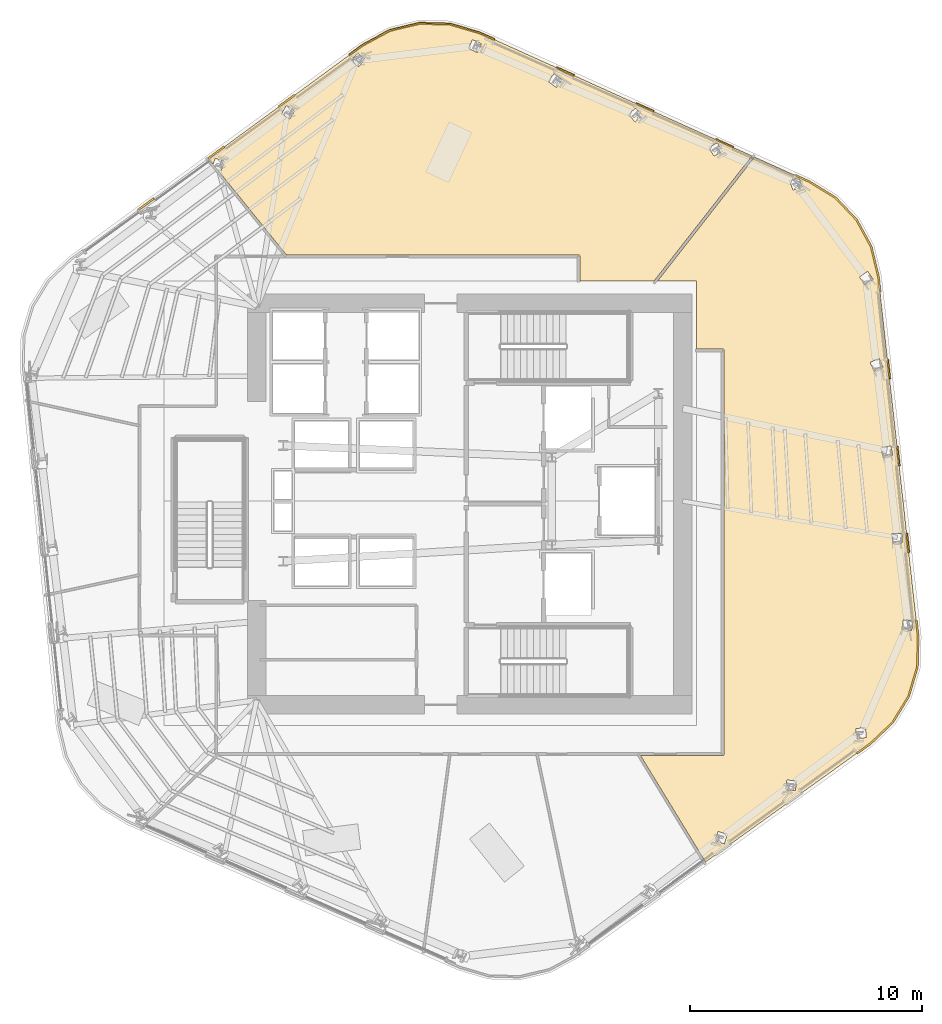
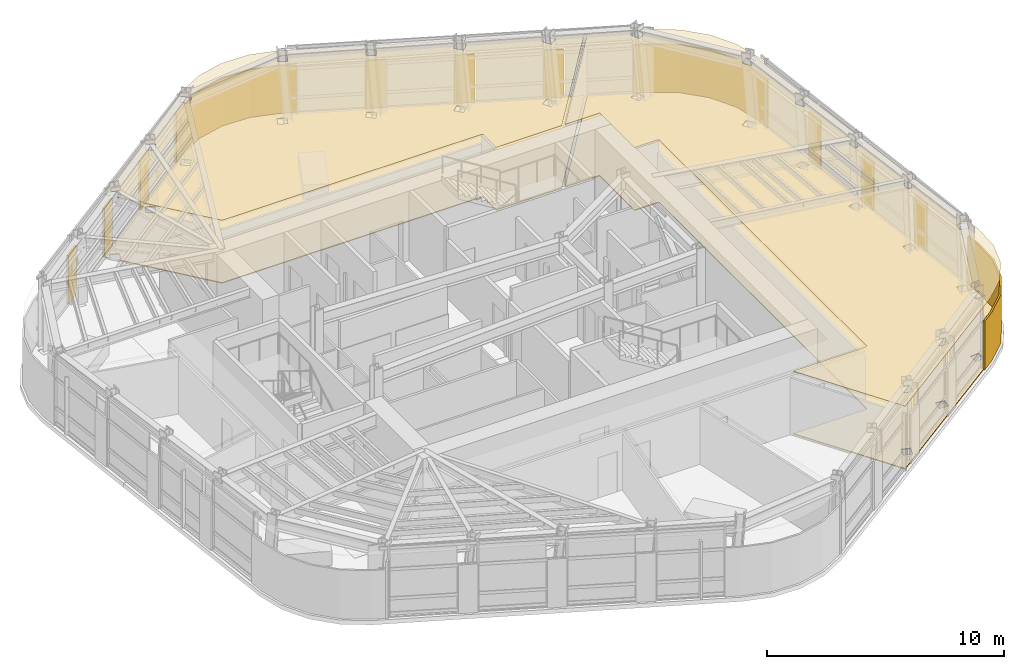
# One storey, part 13 of 14: 16 coverings.
"""IFC4 building model written with IfcOpenShell, lengths in metres."""

from ifc_helpers import new_model, si_unit, direction, frame, origin, place, context, subcontext, project, spatial, polyline, outline, extrude, material, layer, layer_set, type_object, element, save


model = new_model("IFC4")

# Units and contexts
model_context = context("Model", 3, precision=1e-05, world=origin(), true_north=direction((0.0, 1.0)))
body_context = subcontext(model_context, "Body", "Model", "MODEL_VIEW")
ifc_project = project(units=[si_unit("LENGTHUNIT", "METRE"), si_unit("AREAUNIT", "SQUARE_METRE"), si_unit("VOLUMEUNIT", "CUBIC_METRE"), si_unit("PLANEANGLEUNIT", "RADIAN"), si_unit("MASSUNIT", "GRAM", prefix="KILO")], contexts=[model_context])

# Site, building, storey
site_placement = place(None, origin())
site = spatial("IfcSite", under=ifc_project, at=site_placement, CompositionType="ELEMENT")
building_placement = place(site_placement, origin())
building = spatial("IfcBuilding", under=site, at=building_placement, Name="Valkerne Bourse Tower", CompositionType="ELEMENT")
storey_placement = place(building_placement, frame((0.0, 0.0, 178.0)))
storey = spatial("IfcBuildingStorey", under=building, at=storey_placement, Name="L45", CompositionType="ELEMENT", Elevation=178.0)

# Coverings
ifc_material_1 = material(Name="Mineral Fiber Acoustic Ceiling Tile", Category="acoustic")
ifc_layer_1 = layer(ifc_material_1, 0.02490234375)
ifc_layer_set_1 = layer_set([ifc_layer_1], Name="Mineral Fiber Acoustic Ceiling Tile")
covering_type_1 = type_object("IfcCoveringType", Name="COV-CEIL-ACT", PredefinedType="CEILING", material=ifc_layer_set_1)
covering_1_placement = place(storey_placement, frame((0.0, 0.0, 3.22998046875)))
element("IfcCovering", 1, at=covering_1_placement, inside=storey, type_object=covering_type_1, Name="L45 Suspended Ceiling 10", PredefinedType="CEILING", context=body_context, shape_type="SweptSolid", body=[
    extrude(outline(polyline([(44.631591796875, 47.6298828125), (45.95068359375, 47.595458984375), (47.224853515625, 47.218017578125), (58.99072265625, 41.906494140625), (54.759765625, 36.5), (51.569091796875, 36.5), (51.56884765625, 37.564697265625), (51.547119140625, 37.61083984375), (51.50439453125, 37.62890625), (38.88525390625, 37.62890625), (35.89990234375, 41.322509765625), (36.072265625, 41.267822265625), (36.07421875, 41.269287109375), (36.20166015625, 41.673583984375), (35.80712890625, 41.799072265625), (35.804931640625, 41.797607421875), (35.72412109375, 41.540283203125), (35.5185546875, 41.794677734375), (42.180908203125, 46.68798828125), (43.3486328125, 47.322021484375), (44.631591796875, 47.6298828125)]), holes=[polyline([(54.2529296875, 43.655029296875), (53.96728515625, 43.9677734375), (53.96484375, 43.968994140625), (53.659423828125, 43.68896484375), (53.945068359375, 43.376220703125), (53.947509765625, 43.375), (54.2529296875, 43.655029296875)]), polyline([(39.03857421875, 43.504638671875), (39.245361328125, 43.87451171875), (38.884521484375, 44.07763671875), (38.882080078125, 44.07666015625), (38.67529296875, 43.706787109375), (39.0361328125, 43.503662109375), (39.03857421875, 43.504638671875)]), polyline([(50.441650390625, 45.451416015625), (50.43896484375, 45.451904296875), (50.197021484375, 45.115478515625), (50.540283203125, 44.867431640625), (50.54296875, 44.866943359375), (50.784912109375, 45.203125), (50.441650390625, 45.451416015625)]), polyline([(42.27685546875, 46.076904296875), (41.960693359375, 46.343994140625), (41.9580078125, 46.343505859375), (41.685546875, 46.01904296875), (42.001708984375, 45.751708984375), (42.00439453125, 45.75244140625), (42.27685546875, 46.076904296875)]), polyline([(46.922607421875, 46.92431640625), (46.919677734375, 46.92431640625), (46.745361328125, 46.548583984375), (47.12890625, 46.369384765625), (47.1318359375, 46.369384765625), (47.30615234375, 46.7451171875), (46.922607421875, 46.92431640625)]), polyline([(57.70849609375, 42.107666015625), (57.492431640625, 42.471923828125), (57.490234375, 42.4736328125), (57.134521484375, 42.26171875), (57.350341796875, 41.897216796875), (57.3525390625, 41.895751953125), (57.70849609375, 42.107666015625)])]), origin(), (0.0, 0.0, 1.0), 0.02490234375),
])
covering_2_placement = place(storey_placement, frame((0.0, 0.0, 3.22998046875)))
element("IfcCovering", 2, at=covering_2_placement, inside=storey, type_object=covering_type_1, Name="L45 Suspended Ceiling 11", PredefinedType="CEILING", context=body_context, shape_type="SweptSolid", body=[
    extrude(outline(polyline([(65.060791015625, 17.437744140625), (64.096923828125, 16.523193359375), (56.984375, 11.411376953125), (54.1767578125, 16.010986328125), (57.720703125, 16.010986328125), (57.76611328125, 16.0283203125), (57.7880859375, 16.069091796875), (57.788330078125, 33.510009765625), (57.76611328125, 33.551513671875), (57.723388671875, 33.56884765625), (56.60009765625, 33.569091796875), (56.60009765625, 36.5), (54.90966796875, 36.5), (59.1015625, 41.8564453125), (61.464599609375, 40.789794921875), (62.59814453125, 40.09521484375), (63.506591796875, 39.137939453125), (64.135986328125, 37.978271484375), (64.446533203125, 36.685546875), (66.159912109375, 21.15625), (66.125, 19.827880859375), (65.750244140625, 18.562744140625), (65.060791015625, 17.437744140625)]), holes=[polyline([(57.794921875, 12.202392578125), (57.92236328125, 12.606689453125), (57.52783203125, 12.732177734375), (57.525634765625, 12.730712890625), (57.398193359375, 12.326416015625), (57.79296875, 12.200927734375), (57.794921875, 12.202392578125)]), polyline([(60.86669921875, 14.49267578125), (60.908935546875, 14.914306640625), (60.497314453125, 14.95703125), (60.49560546875, 14.955078125), (60.452880859375, 14.533203125), (60.86474609375, 14.49072265625), (60.86669921875, 14.49267578125)]), polyline([(63.927490234375, 16.7890625), (63.889892578125, 17.211181640625), (63.477294921875, 17.175537109375), (63.47607421875, 17.173095703125), (63.513671875, 16.751220703125), (63.926025390625, 16.78662109375), (63.927490234375, 16.7890625)]), polyline([(65.951171875, 21.816650390625), (65.533203125, 21.891357421875), (65.5322265625, 21.888671875), (65.4599609375, 21.48193359375), (65.877685546875, 21.4072265625), (65.878662109375, 21.409912109375), (65.951171875, 21.816650390625)]), polyline([(65.4755859375, 25.1884765625), (65.47607421875, 25.191162109375), (65.470703125, 25.6044921875), (65.04638671875, 25.599365234375), (65.0458984375, 25.5966796875), (65.05126953125, 25.18359375), (65.4755859375, 25.1884765625)]), polyline([(65.068603515625, 28.981201171875), (65.068115234375, 28.98388671875), (64.97900390625, 29.387451171875), (64.564453125, 29.2958984375), (64.564697265625, 29.29345703125), (64.65380859375, 28.889892578125), (65.068603515625, 28.981201171875)]), polyline([(64.65087890625, 32.780517578125), (64.64990234375, 32.783203125), (64.48046875, 33.159912109375), (64.09326171875, 32.986083984375), (64.093994140625, 32.9833984375), (64.263427734375, 32.606689453125), (64.65087890625, 32.780517578125)]), polyline([(64.220703125, 36.579345703125), (64.21923828125, 36.581787109375), (63.982177734375, 36.919921875), (63.63427734375, 36.676513671875), (63.6357421875, 36.673828125), (63.872802734375, 36.335693359375), (64.220703125, 36.579345703125)]), polyline([(61.010498046875, 40.966064453125), (61.008544921875, 40.968017578125), (60.619140625, 40.826904296875), (60.7626953125, 40.428466796875), (60.7646484375, 40.426513671875), (61.154052734375, 40.567626953125), (61.010498046875, 40.966064453125)])]), origin(), (0.0, 0.0, 1.0), 0.02490234375),
])
ifc_material_2 = material(Name="Bronze Anodised Aluminium AA 6063-T6", Category="aluminium")
ifc_layer_2 = layer(ifc_material_2, 0.06005859375)
ifc_layer_set_2 = layer_set([ifc_layer_2], Name="Bronze Anodised Aluminium AA 6063-T6")
covering_type_2 = type_object("IfcCoveringType", Name="COV-CRN-ALUM", PredefinedType="CLADDING", material=ifc_layer_set_2)
covering_3_placement = place(storey_placement, origin())
element("IfcCovering", 3, at=covering_3_placement, inside=storey, type_object=covering_type_2, Name="L45 Wind-Shaped Corner Aluminium Cladding 01", PredefinedType="CLADDING", context=body_context, shape_type="SweptSolid", body=[
    extrude(outline(polyline([(66.1689453125, 19.821044921875), (65.790771484375, 18.544677734375), (65.09521484375, 17.409912109375), (64.125, 16.489013671875), (63.543701171875, 16.0712890625), (63.49658203125, 16.135986328125), (64.073974609375, 16.55078125), (65.032470703125, 17.460693359375), (65.717041015625, 18.577392578125), (66.089111328125, 19.833740234375), (66.123779296875, 21.15478515625), (66.0458984375, 21.861572265625), (66.125244140625, 21.869873046875), (66.203857421875, 21.158203125), (66.1689453125, 19.821044921875)])), origin(), (0.0, 0.0, 1.0), 2.5),
])
covering_4_placement = place(storey_placement, origin())
element("IfcCovering", 4, at=covering_4_placement, inside=storey, type_object=covering_type_2, Name="L45 Wind-Shaped Corner Aluminium Cladding 14", PredefinedType="CLADDING", context=body_context, shape_type="SweptSolid", body=[
    extrude(outline(polyline([(33.138916015625, 40.1015625), (33.18603515625, 40.036865234375), (32.509033203125, 39.53955078125), (32.462158203125, 39.6044921875), (33.138916015625, 40.1015625)])), origin(), (0.0, 0.0, 1.0), 2.5),
])
covering_5_placement = place(storey_placement, origin())
element("IfcCovering", 5, at=covering_5_placement, inside=storey, type_object=covering_type_2, Name="L45 Wind-Shaped Corner Aluminium Cladding 15", PredefinedType="CLADDING", context=body_context, shape_type="SweptSolid", body=[
    extrude(outline(polyline([(36.178466796875, 42.333984375), (36.225341796875, 42.269287109375), (35.548583984375, 41.77197265625), (35.50146484375, 41.836669921875), (36.178466796875, 42.333984375)])), origin(), (0.0, 0.0, 1.0), 2.5),
])
covering_6_placement = place(storey_placement, origin())
element("IfcCovering", 6, at=covering_6_placement, inside=storey, type_object=covering_type_2, Name="L45 Wind-Shaped Corner Aluminium Cladding 16", PredefinedType="CLADDING", context=body_context, shape_type="SweptSolid", body=[
    extrude(outline(polyline([(39.2177734375, 44.566162109375), (39.264892578125, 44.50146484375), (38.587890625, 44.004150390625), (38.540771484375, 44.069091796875), (39.2177734375, 44.566162109375)])), origin(), (0.0, 0.0, 1.0), 2.5),
])
covering_7_placement = place(storey_placement, origin())
element("IfcCovering", 7, at=covering_7_placement, inside=storey, type_object=covering_type_2, Name="L45 Wind-Shaped Corner Aluminium Cladding 17", PredefinedType="CLADDING", context=body_context, shape_type="SweptSolid", body=[
    extrude(outline(polyline([(42.1572265625, 46.72509765625), (43.332763671875, 47.36328125), (44.626953125, 47.674072265625), (45.957763671875, 47.639404296875), (47.240234375, 47.259521484375), (47.892822265625, 46.964599609375), (47.8603515625, 46.8916015625), (47.212158203125, 47.18408203125), (45.945068359375, 47.5595703125), (44.635498046875, 47.59375), (43.36181640625, 47.2880859375), (42.2001953125, 46.657470703125), (41.627197265625, 46.236572265625), (41.580078125, 46.30126953125), (42.1572265625, 46.72509765625)])), origin(), (0.0, 0.0, 1.0), 2.5),
])
covering_8_placement = place(storey_placement, origin())
element("IfcCovering", 8, at=covering_8_placement, inside=storey, type_object=covering_type_2, Name="L45 Wind-Shaped Corner Aluminium Cladding 18", PredefinedType="CLADDING", context=body_context, shape_type="SweptSolid", body=[
    extrude(outline(polyline([(51.329833984375, 45.4130859375), (51.29736328125, 45.340087890625), (50.53173828125, 45.685791015625), (50.564208984375, 45.7587890625), (51.329833984375, 45.4130859375)])), origin(), (0.0, 0.0, 1.0), 2.5),
])
covering_9_placement = place(storey_placement, origin())
element("IfcCovering", 9, at=covering_9_placement, inside=storey, type_object=covering_type_2, Name="L45 Wind-Shaped Corner Aluminium Cladding 19", PredefinedType="CLADDING", context=body_context, shape_type="SweptSolid", body=[
    extrude(outline(polyline([(54.76708984375, 43.861572265625), (54.734375, 43.78857421875), (53.96875, 44.134033203125), (54.00146484375, 44.207275390625), (54.76708984375, 43.861572265625)])), origin(), (0.0, 0.0, 1.0), 2.5),
])
covering_10_placement = place(storey_placement, origin())
element("IfcCovering", 10, at=covering_10_placement, inside=storey, type_object=covering_type_2, Name="L45 Wind-Shaped Corner Aluminium Cladding 20", PredefinedType="CLADDING", context=body_context, shape_type="SweptSolid", body=[
    extrude(outline(polyline([(58.2041015625, 42.31005859375), (58.17138671875, 42.23681640625), (57.406005859375, 42.58251953125), (57.4384765625, 42.655517578125), (58.2041015625, 42.31005859375)])), origin(), (0.0, 0.0, 1.0), 2.5),
])
covering_11_placement = place(storey_placement, origin())
element("IfcCovering", 11, at=covering_11_placement, inside=storey, type_object=covering_type_2, Name="L45 Wind-Shaped Corner Aluminium Cladding 21", PredefinedType="CLADDING", context=body_context, shape_type="SweptSolid", body=[
    extrude(outline(polyline([(61.485107421875, 40.82861328125), (62.6259765625, 40.129638671875), (63.54248046875, 39.1640625), (64.177490234375, 37.994384765625), (64.489990234375, 36.693115234375), (64.563232421875, 36.0283203125), (64.483642578125, 36.02001953125), (64.410888671875, 36.679443359375), (64.102294921875, 37.96533203125), (63.47705078125, 39.11669921875), (62.5751953125, 40.06689453125), (61.44775390625, 40.7578125), (60.843017578125, 41.031005859375), (60.87548828125, 41.10400390625), (61.485107421875, 40.82861328125)])), origin(), (0.0, 0.0, 1.0), 2.5),
])
covering_12_placement = place(storey_placement, origin())
element("IfcCovering", 12, at=covering_12_placement, inside=storey, type_object=covering_type_2, Name="L45 Wind-Shaped Corner Aluminium Cladding 22", PredefinedType="CLADDING", context=body_context, shape_type="SweptSolid", body=[
    extrude(outline(polyline([(64.976806640625, 32.27978515625), (64.897216796875, 32.271484375), (64.80517578125, 33.1064453125), (64.884765625, 33.11474609375), (64.976806640625, 32.27978515625)])), origin(), (0.0, 0.0, 1.0), 2.5),
])
covering_13_placement = place(storey_placement, origin())
element("IfcCovering", 13, at=covering_13_placement, inside=storey, type_object=covering_type_2, Name="L45 Wind-Shaped Corner Aluminium Cladding 23", PredefinedType="CLADDING", context=body_context, shape_type="SweptSolid", body=[
    extrude(outline(polyline([(65.390380859375, 28.531494140625), (65.310791015625, 28.523193359375), (65.21875, 29.358154296875), (65.298095703125, 29.366455078125), (65.390380859375, 28.531494140625)])), origin(), (0.0, 0.0, 1.0), 2.5),
])
covering_14_placement = place(storey_placement, origin())
element("IfcCovering", 14, at=covering_14_placement, inside=storey, type_object=covering_type_2, Name="L45 Wind-Shaped Corner Aluminium Cladding 24", PredefinedType="CLADDING", context=body_context, shape_type="SweptSolid", body=[
    extrude(outline(polyline([(65.803955078125, 24.783203125), (65.724365234375, 24.77490234375), (65.632080078125, 25.60986328125), (65.7119140625, 25.6181640625), (65.803955078125, 24.783203125)])), origin(), (0.0, 0.0, 1.0), 2.5),
])
ifc_material_3 = material(Name="Galvanised Painted Steel", Category="steel")
ifc_layer_3 = layer(ifc_material_3, 0.044921875)
ifc_layer_set_3 = layer_set([ifc_layer_3], Name="Galvanised Painted Steel")
covering_type_3 = type_object("IfcCoveringType", Name="COV-FLR-RAF", PredefinedType="FLOORING", material=ifc_layer_set_3)
covering_15_placement = place(storey_placement, origin())
element("IfcCovering", 15, at=covering_15_placement, inside=storey, type_object=covering_type_3, Name="L45 Floor Finish 10", PredefinedType="FLOORING", context=body_context, shape_type="SweptSolid", body=[
    extrude(outline(polyline([(44.631591796875, 47.6298828125), (45.95068359375, 47.595458984375), (47.224853515625, 47.218017578125), (58.99072265625, 41.906494140625), (54.759765625, 36.5), (51.569091796875, 36.5), (51.56884765625, 37.564697265625), (51.547119140625, 37.61083984375), (51.50439453125, 37.62890625), (38.88525390625, 37.62890625), (35.89990234375, 41.322509765625), (36.072265625, 41.267822265625), (36.07421875, 41.269287109375), (36.20166015625, 41.673583984375), (35.80712890625, 41.799072265625), (35.804931640625, 41.797607421875), (35.72412109375, 41.540283203125), (35.5185546875, 41.794677734375), (42.180908203125, 46.68798828125), (43.3486328125, 47.322021484375), (44.631591796875, 47.6298828125)]), holes=[polyline([(54.2529296875, 43.655029296875), (53.96728515625, 43.9677734375), (53.96484375, 43.968994140625), (53.659423828125, 43.68896484375), (53.945068359375, 43.376220703125), (53.947509765625, 43.375), (54.2529296875, 43.655029296875)]), polyline([(39.03857421875, 43.504638671875), (39.245361328125, 43.87451171875), (38.884521484375, 44.07763671875), (38.882080078125, 44.07666015625), (38.67529296875, 43.706787109375), (39.0361328125, 43.503662109375), (39.03857421875, 43.504638671875)]), polyline([(50.441650390625, 45.451416015625), (50.43896484375, 45.451904296875), (50.197021484375, 45.115478515625), (50.540283203125, 44.867431640625), (50.54296875, 44.866943359375), (50.784912109375, 45.203125), (50.441650390625, 45.451416015625)]), polyline([(42.27685546875, 46.076904296875), (41.960693359375, 46.343994140625), (41.9580078125, 46.343505859375), (41.685546875, 46.01904296875), (42.001708984375, 45.751708984375), (42.00439453125, 45.75244140625), (42.27685546875, 46.076904296875)]), polyline([(46.922607421875, 46.92431640625), (46.919677734375, 46.92431640625), (46.745361328125, 46.548583984375), (47.12890625, 46.369384765625), (47.1318359375, 46.369384765625), (47.30615234375, 46.7451171875), (46.922607421875, 46.92431640625)]), polyline([(57.70849609375, 42.107666015625), (57.492431640625, 42.471923828125), (57.490234375, 42.4736328125), (57.134521484375, 42.26171875), (57.350341796875, 41.897216796875), (57.3525390625, 41.895751953125), (57.70849609375, 42.107666015625)])]), origin(), (0.0, 0.0, 1.0), 0.044921875),
])
covering_16_placement = place(storey_placement, origin())
element("IfcCovering", 16, at=covering_16_placement, inside=storey, type_object=covering_type_3, Name="L45 Floor Finish 11", PredefinedType="FLOORING", context=body_context, shape_type="SweptSolid", body=[
    extrude(outline(polyline([(65.060791015625, 17.437744140625), (64.096923828125, 16.523193359375), (56.984375, 11.411376953125), (54.1767578125, 16.010986328125), (57.720703125, 16.010986328125), (57.76611328125, 16.0283203125), (57.7880859375, 16.069091796875), (57.788330078125, 33.510009765625), (57.76611328125, 33.551513671875), (57.723388671875, 33.56884765625), (56.60009765625, 33.569091796875), (56.60009765625, 36.5), (54.90966796875, 36.5), (59.1015625, 41.8564453125), (61.464599609375, 40.789794921875), (62.59814453125, 40.09521484375), (63.506591796875, 39.137939453125), (64.135986328125, 37.978271484375), (64.446533203125, 36.685546875), (66.159912109375, 21.15625), (66.125, 19.827880859375), (65.750244140625, 18.562744140625), (65.060791015625, 17.437744140625)]), holes=[polyline([(57.794921875, 12.202392578125), (57.92236328125, 12.606689453125), (57.52783203125, 12.732177734375), (57.525634765625, 12.730712890625), (57.398193359375, 12.326416015625), (57.79296875, 12.200927734375), (57.794921875, 12.202392578125)]), polyline([(60.86669921875, 14.49267578125), (60.908935546875, 14.914306640625), (60.497314453125, 14.95703125), (60.49560546875, 14.955078125), (60.452880859375, 14.533203125), (60.86474609375, 14.49072265625), (60.86669921875, 14.49267578125)]), polyline([(63.927490234375, 16.7890625), (63.889892578125, 17.211181640625), (63.477294921875, 17.175537109375), (63.47607421875, 17.173095703125), (63.513671875, 16.751220703125), (63.926025390625, 16.78662109375), (63.927490234375, 16.7890625)]), polyline([(65.951171875, 21.816650390625), (65.533203125, 21.891357421875), (65.5322265625, 21.888671875), (65.4599609375, 21.48193359375), (65.877685546875, 21.4072265625), (65.878662109375, 21.409912109375), (65.951171875, 21.816650390625)]), polyline([(65.4755859375, 25.1884765625), (65.47607421875, 25.191162109375), (65.470703125, 25.6044921875), (65.04638671875, 25.599365234375), (65.0458984375, 25.5966796875), (65.05126953125, 25.18359375), (65.4755859375, 25.1884765625)]), polyline([(65.068603515625, 28.981201171875), (65.068115234375, 28.98388671875), (64.97900390625, 29.387451171875), (64.564453125, 29.2958984375), (64.564697265625, 29.29345703125), (64.65380859375, 28.889892578125), (65.068603515625, 28.981201171875)]), polyline([(64.65087890625, 32.780517578125), (64.64990234375, 32.783203125), (64.48046875, 33.159912109375), (64.09326171875, 32.986083984375), (64.093994140625, 32.9833984375), (64.263427734375, 32.606689453125), (64.65087890625, 32.780517578125)]), polyline([(64.220703125, 36.579345703125), (64.21923828125, 36.581787109375), (63.982177734375, 36.919921875), (63.63427734375, 36.676513671875), (63.6357421875, 36.673828125), (63.872802734375, 36.335693359375), (64.220703125, 36.579345703125)]), polyline([(61.010498046875, 40.966064453125), (61.008544921875, 40.968017578125), (60.619140625, 40.826904296875), (60.7626953125, 40.428466796875), (60.7646484375, 40.426513671875), (61.154052734375, 40.567626953125), (61.010498046875, 40.966064453125)])]), origin(), (0.0, 0.0, 1.0), 0.044921875),
])

save(model, "model.ifc")
